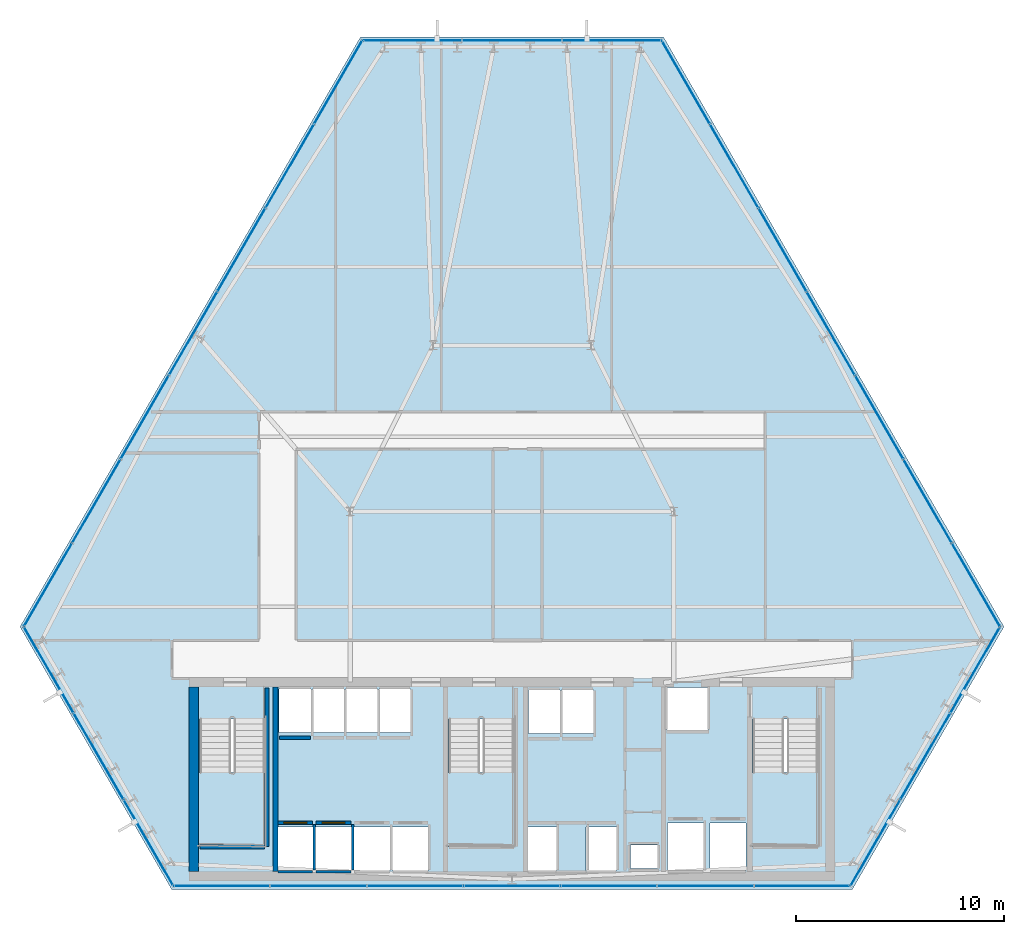
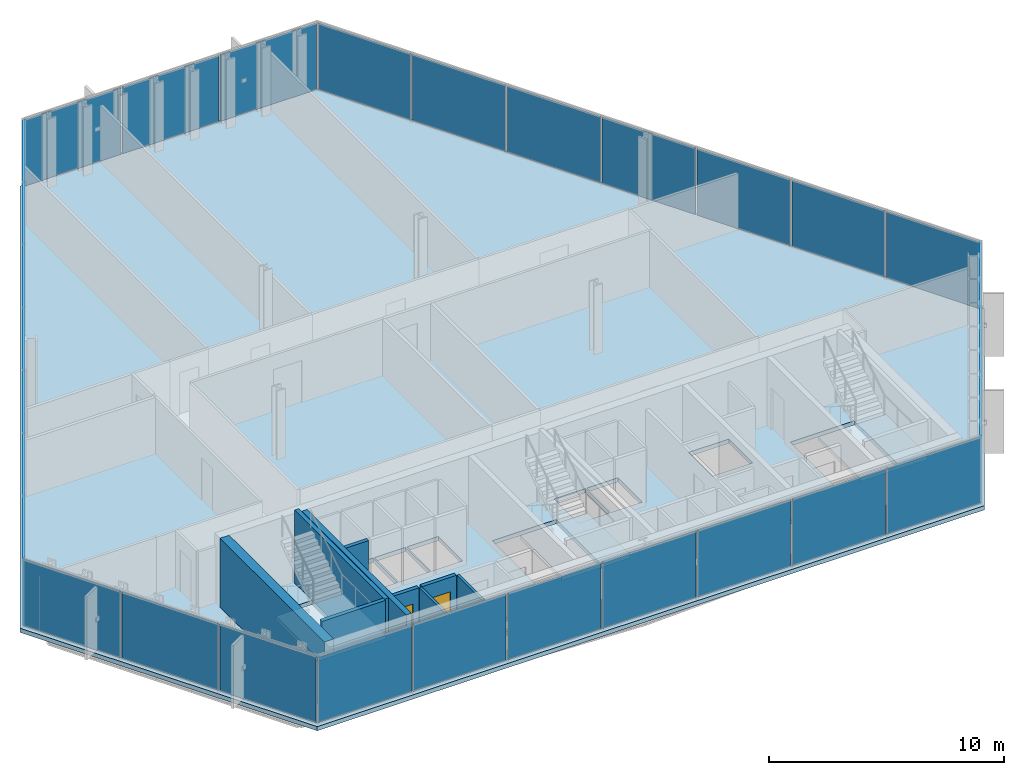
# One storey, part 26 of 33: 30 plates, 11 walls, 4 slabs, 2 doors, 2 openings, 9 elements without a shape of their own.
"""IFC4 building model written with IfcOpenShell, lengths in metres."""

from ifc_helpers import new_model, si_unit, direction, frame, frame_2d, origin, origin_2d, place, context, subcontext, project, spatial, polyline, rectangle, outline, extrude, material, layer, layer_set, type_object, element, fill, aggregate, save


model = new_model("IFC4")

# Units and contexts
model_context = context("Model", 3, precision=1e-05, world=origin(), true_north=direction((0.0, 1.0)))
body_context = subcontext(model_context, "Body", "Model", "MODEL_VIEW")
ifc_project = project(units=[si_unit("LENGTHUNIT", "METRE"), si_unit("AREAUNIT", "SQUARE_METRE"), si_unit("VOLUMEUNIT", "CUBIC_METRE"), si_unit("PLANEANGLEUNIT", "RADIAN"), si_unit("MASSUNIT", "GRAM", prefix="KILO")], contexts=[model_context])

# Site, building, storey
site_placement = place(None, origin())
site = spatial("IfcSite", under=ifc_project, at=site_placement, CompositionType="ELEMENT")
building_placement = place(site_placement, origin())
building = spatial("IfcBuilding", under=site, at=building_placement, Name="Ndaravel Arena Tower", CompositionType="ELEMENT")
storey_placement = place(building_placement, frame((0.0, 0.0, 85.39990234375)))
storey = spatial("IfcBuildingStorey", under=building, at=storey_placement, Name="L19", CompositionType="ELEMENT", Elevation=85.39990234375)

# Curtain wall, plate
ifc_material_1 = material(Name="Aluminium", Category="aluminium")
ifc_layer_1 = layer(ifc_material_1, 0.179931640625)
ifc_layer_set_1 = layer_set([ifc_layer_1], Name="Aluminium")
curtain_wall_type_1 = type_object("IfcCurtainWallType", Name="CW-SYS-01", PredefinedType="NOTDEFINED", material=ifc_layer_set_1)
curtain_wall_1_placement = place(storey_placement, origin())
curtain_wall_1 = element("IfcCurtainWall", 1, at=curtain_wall_1_placement, inside=storey, type_object=curtain_wall_type_1, Name="L19 Faceted Crystal Curtain Wall CW-L19-E02", PredefinedType="NOTDEFINED")
ifc_material_2 = material(Name="Glazing", Category="glass")
ifc_layer_2 = layer(ifc_material_2, 0.035888671875)
ifc_layer_set_2 = layer_set([ifc_layer_2], Name="Glazing")
plate_type_1 = type_object("IfcPlateType", Name="PLT-CW-OPVENT", PredefinedType="CURTAIN_PANEL", material=ifc_layer_set_2)
plate_1_placement = place(storey_placement, frame((61.913818359375, 11.404052734375, 0.06005859375), z_axis=(0.0, 0.0, 1.0), x_axis=(0.5, 0.866025403784, 0.0)))
plate_1 = element("IfcPlate", 2, at=plate_1_placement, type_object=plate_type_1, Name="CW-L19-E02 Operable Vent Sash Panel 02", PredefinedType="CURTAIN_PANEL", context=body_context, shape_type="SweptSolid", body=[
    extrude(rectangle(XDim=4.7265625, YDim=0.035888671875, at=origin_2d()), origin(), (0.0, 0.0, 1.0), 3.4599609375),
])

curtain_wall_2_placement = place(storey_placement, origin())
curtain_wall_2 = element("IfcCurtainWall", 3, at=curtain_wall_2_placement, inside=storey, type_object=curtain_wall_type_1, Name="L19 Faceted Crystal Curtain Wall CW-L19-E04", PredefinedType="NOTDEFINED")
plate_2_placement = place(storey_placement, frame((42.0, 45.89599609375, 0.06005859375), z_axis=(0.0, 0.0, 1.0), x_axis=(-1.0, 0.0, 0.0)))
plate_2 = element("IfcPlate", 4, at=plate_2_placement, type_object=plate_type_1, Name="CW-L19-E04 Operable Vent Sash Panel 02", PredefinedType="CURTAIN_PANEL", context=body_context, shape_type="SweptSolid", body=[
    extrude(rectangle(XDim=4.7265625, YDim=0.035888671875, at=origin_2d()), origin(), (0.0, 0.0, 1.0), 3.4599609375),
])

ifc_material_3 = material(Name="Aluminium", Category="aluminium")
ifc_layer_3 = layer(ifc_material_3, 0.179931640625)
ifc_layer_set_3 = layer_set([ifc_layer_3], Name="Aluminium")
curtain_wall_type_2 = type_object("IfcCurtainWallType", Name="CW-SYS-02", PredefinedType="NOTDEFINED", material=ifc_layer_set_3)
curtain_wall_3_placement = place(storey_placement, origin())
curtain_wall_3 = element("IfcCurtainWall", 5, at=curtain_wall_3_placement, inside=storey, type_object=curtain_wall_type_2, Name="L19 Faceted Crystal Curtain Wall CW-L19-E06", PredefinedType="NOTDEFINED")
plate_3_placement = place(storey_placement, frame((22.086181640625, 11.40380859375, 0.06005859375), z_axis=(0.0, 0.0, 1.0), x_axis=(0.5, -0.866025403784, 0.0)))
plate_3 = element("IfcPlate", 6, at=plate_3_placement, type_object=plate_type_1, Name="CW-L19-E06 Operable Vent Sash Panel 02", PredefinedType="CURTAIN_PANEL", context=body_context, shape_type="SweptSolid", body=[
    extrude(rectangle(XDim=4.7265625, YDim=0.035888671875, at=origin_2d()), origin(), (0.0, 0.0, 1.0), 3.4599609375),
])

# Plate
ifc_material_4 = material(Name="Glazing", Category="glass")
ifc_layer_4 = layer(ifc_material_4, 0.031982421875)
ifc_layer_set_4 = layer_set([ifc_layer_4], Name="Glazing")
plate_type_2 = type_object("IfcPlateType", Name="PLT-GLZ-FRIT35", PredefinedType="CURTAIN_PANEL", material=ifc_layer_set_4)
plate_4_placement = place(storey_placement, frame((59.510498046875, 7.2412109375, 0.06005859375), z_axis=(0.0, 0.0, 1.0), x_axis=(0.5, 0.866025403784, 0.0)))
plate_4 = element("IfcPlate", 7, at=plate_4_placement, type_object=plate_type_2, Name="CW-L19-E02 Vision Glass Panel 01", PredefinedType="CURTAIN_PANEL", context=body_context, shape_type="SweptSolid", body=[
    extrude(rectangle(XDim=4.7265625, YDim=0.035888671875, at=origin_2d()), origin(), (0.0, 0.0, 1.0), 3.4599609375),
])

plate_5_placement = place(storey_placement, frame((64.317138671875, 15.566650390625, 0.06005859375), z_axis=(0.0, 0.0, 1.0), x_axis=(0.5, 0.866025403784, 0.0)))
plate_5 = element("IfcPlate", 8, at=plate_5_placement, type_object=plate_type_2, Name="CW-L19-E02 Vision Glass Panel 03", PredefinedType="CURTAIN_PANEL", context=body_context, shape_type="SweptSolid", body=[
    extrude(rectangle(XDim=4.7265625, YDim=0.035888671875, at=origin_2d()), origin(), (0.0, 0.0, 1.0), 3.4599609375),
])

aggregate(curtain_wall_1, [plate_4, plate_1, plate_5])

plate_6_placement = place(storey_placement, frame((46.806640625, 45.89599609375, 0.06005859375), z_axis=(0.0, 0.0, 1.0), x_axis=(-1.0, 0.0, 0.0)))
plate_6 = element("IfcPlate", 9, at=plate_6_placement, type_object=plate_type_2, Name="CW-L19-E04 Vision Glass Panel 01", PredefinedType="CURTAIN_PANEL", context=body_context, shape_type="SweptSolid", body=[
    extrude(rectangle(XDim=4.7265625, YDim=0.035888671875, at=origin_2d()), origin(), (0.0, 0.0, 1.0), 3.4599609375),
])

plate_7_placement = place(storey_placement, frame((37.193359375, 45.89599609375, 0.06005859375), z_axis=(0.0, 0.0, 1.0), x_axis=(-1.0, 0.0, 0.0)))
plate_7 = element("IfcPlate", 10, at=plate_7_placement, type_object=plate_type_2, Name="CW-L19-E04 Vision Glass Panel 03", PredefinedType="CURTAIN_PANEL", context=body_context, shape_type="SweptSolid", body=[
    extrude(rectangle(XDim=4.7265625, YDim=0.035888671875, at=origin_2d()), origin(), (0.0, 0.0, 1.0), 3.4599609375),
])

aggregate(curtain_wall_2, [plate_6, plate_2, plate_7])

ifc_material_5 = material(Name="Glazing", Category="glass")
ifc_layer_5 = layer(ifc_material_5, 0.035888671875)
ifc_layer_set_5 = layer_set([ifc_layer_5], Name="Glazing")
plate_type_3 = type_object("IfcPlateType", Name="PLT-GLZ-FRIT55", PredefinedType="CURTAIN_PANEL", material=ifc_layer_set_5)
plate_8_placement = place(storey_placement, frame((19.682861328125, 15.566650390625, 0.06005859375), z_axis=(0.0, 0.0, 1.0), x_axis=(0.5, -0.866025403784, 0.0)))
plate_8 = element("IfcPlate", 11, at=plate_8_placement, type_object=plate_type_3, Name="CW-L19-E06 Vision Glass Panel 01", PredefinedType="CURTAIN_PANEL", context=body_context, shape_type="SweptSolid", body=[
    extrude(rectangle(XDim=4.7265625, YDim=0.035888671875, at=origin_2d()), origin(), (0.0, 0.0, 1.0), 3.4599609375),
])

plate_9_placement = place(storey_placement, frame((24.489501953125, 7.2412109375, 0.06005859375), z_axis=(0.0, 0.0, 1.0), x_axis=(0.5, -0.866025403784, 0.0)))
plate_9 = element("IfcPlate", 12, at=plate_9_placement, type_object=plate_type_3, Name="CW-L19-E06 Vision Glass Panel 03", PredefinedType="CURTAIN_PANEL", context=body_context, shape_type="SweptSolid", body=[
    extrude(rectangle(XDim=4.7265625, YDim=0.035888671875, at=origin_2d()), origin(), (0.0, 0.0, 1.0), 3.4599609375),
])

aggregate(curtain_wall_3, [plate_8, plate_3, plate_9])

# Curtain wall, plates
ifc_material_6 = material(Name="Aluminium", Category="aluminium")
ifc_layer_6 = layer(ifc_material_6, 0.179931640625)
ifc_layer_set_6 = layer_set([ifc_layer_6], Name="Aluminium")
curtain_wall_type_3 = type_object("IfcCurtainWallType", Name="CW-SYS-03", PredefinedType="NOTDEFINED", material=ifc_layer_set_6)
curtain_wall_4_placement = place(storey_placement, origin())
curtain_wall_4 = element("IfcCurtainWall", 13, at=curtain_wall_4_placement, inside=storey, type_object=curtain_wall_type_3, Name="L19 Faceted Crystal Curtain Wall CW-L19-E01", PredefinedType="NOTDEFINED")
ifc_material_7 = material(Name="Glazing", Category="glass")
ifc_layer_7 = layer(ifc_material_7, 0.0400390625)
ifc_layer_set_7 = layer_set([ifc_layer_7], Name="Glazing")
plate_type_4 = type_object("IfcPlateType", Name="PLT-GLZ-LOWIRON", PredefinedType="CURTAIN_PANEL", material=ifc_layer_set_7)
plate_10_placement = place(storey_placement, frame((28.02099609375, 5.159912109375, 0.06005859375), z_axis=(0.0, 0.0, 1.0), x_axis=(1.0, 0.0, 0.0)))
plate_10 = element("IfcPlate", 14, at=plate_10_placement, type_object=plate_type_4, Name="CW-L19-E01 Vision Glass Panel 01", PredefinedType="CURTAIN_PANEL", context=body_context, shape_type="SweptSolid", body=[
    extrude(rectangle(XDim=4.57958984375, YDim=0.035888671875, at=origin_2d()), origin(), (0.0, 0.0, 1.0), 3.4599609375),
])
plate_11_placement = place(storey_placement, frame((32.6806640625, 5.159912109375, 0.06005859375), z_axis=(0.0, 0.0, 1.0), x_axis=(1.0, 0.0, 0.0)))
plate_11 = element("IfcPlate", 15, at=plate_11_placement, type_object=plate_type_4, Name="CW-L19-E01 Vision Glass Panel 02", PredefinedType="CURTAIN_PANEL", context=body_context, shape_type="SweptSolid", body=[
    extrude(rectangle(XDim=4.57958984375, YDim=0.035888671875, at=origin_2d()), origin(), (0.0, 0.0, 1.0), 3.4599609375),
])
plate_12_placement = place(storey_placement, frame((37.34033203125, 5.159912109375, 0.06005859375), z_axis=(0.0, 0.0, 1.0), x_axis=(1.0, 0.0, 0.0)))
plate_12 = element("IfcPlate", 16, at=plate_12_placement, type_object=plate_type_4, Name="CW-L19-E01 Vision Glass Panel 03", PredefinedType="CURTAIN_PANEL", context=body_context, shape_type="SweptSolid", body=[
    extrude(rectangle(XDim=4.57958984375, YDim=0.035888671875, at=origin_2d()), origin(), (0.0, 0.0, 1.0), 3.4599609375),
])
plate_13_placement = place(storey_placement, frame((42.0, 5.159912109375, 0.06005859375), z_axis=(0.0, 0.0, 1.0), x_axis=(1.0, 0.0, 0.0)))
plate_13 = element("IfcPlate", 17, at=plate_13_placement, type_object=plate_type_4, Name="CW-L19-E01 Vision Glass Panel 04", PredefinedType="CURTAIN_PANEL", context=body_context, shape_type="SweptSolid", body=[
    extrude(rectangle(XDim=4.57958984375, YDim=0.035888671875, at=origin_2d()), origin(), (0.0, 0.0, 1.0), 3.4599609375),
])
plate_14_placement = place(storey_placement, frame((46.65966796875, 5.159912109375, 0.06005859375), z_axis=(0.0, 0.0, 1.0), x_axis=(1.0, 0.0, 0.0)))
plate_14 = element("IfcPlate", 18, at=plate_14_placement, type_object=plate_type_4, Name="CW-L19-E01 Vision Glass Panel 05", PredefinedType="CURTAIN_PANEL", context=body_context, shape_type="SweptSolid", body=[
    extrude(rectangle(XDim=4.57958984375, YDim=0.035888671875, at=origin_2d()), origin(), (0.0, 0.0, 1.0), 3.4599609375),
])
plate_15_placement = place(storey_placement, frame((51.3193359375, 5.159912109375, 0.06005859375), z_axis=(0.0, 0.0, 1.0), x_axis=(1.0, 0.0, 0.0)))
plate_15 = element("IfcPlate", 19, at=plate_15_placement, type_object=plate_type_4, Name="CW-L19-E01 Vision Glass Panel 06", PredefinedType="CURTAIN_PANEL", context=body_context, shape_type="SweptSolid", body=[
    extrude(rectangle(XDim=4.57958984375, YDim=0.035888671875, at=origin_2d()), origin(), (0.0, 0.0, 1.0), 3.4599609375),
])
plate_16_placement = place(storey_placement, frame((55.97900390625, 5.159912109375, 0.06005859375), z_axis=(0.0, 0.0, 1.0), x_axis=(1.0, 0.0, 0.0)))
plate_16 = element("IfcPlate", 20, at=plate_16_placement, type_object=plate_type_4, Name="CW-L19-E01 Vision Glass Panel 07", PredefinedType="CURTAIN_PANEL", context=body_context, shape_type="SweptSolid", body=[
    extrude(rectangle(XDim=4.57958984375, YDim=0.035888671875, at=origin_2d()), origin(), (0.0, 0.0, 1.0), 3.4599609375),
])
aggregate(curtain_wall_4, [plate_10, plate_11, plate_12, plate_13, plate_14, plate_15, plate_16])

curtain_wall_5_placement = place(storey_placement, origin())
curtain_wall_5 = element("IfcCurtainWall", 21, at=curtain_wall_5_placement, inside=storey, type_object=curtain_wall_type_3, Name="L19 Faceted Crystal Curtain Wall CW-L19-E03", PredefinedType="NOTDEFINED")
plate_17_placement = place(storey_placement, frame((64.35400390625, 19.66552734375, 0.06005859375), z_axis=(0.0, 0.0, 1.0), x_axis=(-0.5, 0.866025403784, 0.0)))
plate_17 = element("IfcPlate", 22, at=plate_17_placement, type_object=plate_type_4, Name="CW-L19-E03 Vision Glass Panel 01", PredefinedType="CURTAIN_PANEL", context=body_context, shape_type="SweptSolid", body=[
    extrude(rectangle(XDim=4.57958984375, YDim=0.035888671875, at=origin_2d()), origin(), (0.0, 0.0, 1.0), 3.4599609375),
])
plate_18_placement = place(storey_placement, frame((62.02392578125, 23.700927734375, 0.06005859375), z_axis=(0.0, 0.0, 1.0), x_axis=(-0.5, 0.866025403784, 0.0)))
plate_18 = element("IfcPlate", 23, at=plate_18_placement, type_object=plate_type_4, Name="CW-L19-E03 Vision Glass Panel 02", PredefinedType="CURTAIN_PANEL", context=body_context, shape_type="SweptSolid", body=[
    extrude(rectangle(XDim=4.57958984375, YDim=0.035888671875, at=origin_2d()), origin(), (0.0, 0.0, 1.0), 3.4599609375),
])
plate_19_placement = place(storey_placement, frame((59.694091796875, 27.736572265625, 0.06005859375), z_axis=(0.0, 0.0, 1.0), x_axis=(-0.5, 0.866025403784, 0.0)))
plate_19 = element("IfcPlate", 24, at=plate_19_placement, type_object=plate_type_4, Name="CW-L19-E03 Vision Glass Panel 03", PredefinedType="CURTAIN_PANEL", context=body_context, shape_type="SweptSolid", body=[
    extrude(rectangle(XDim=4.57958984375, YDim=0.035888671875, at=origin_2d()), origin(), (0.0, 0.0, 1.0), 3.4599609375),
])
plate_20_placement = place(storey_placement, frame((57.364501953125, 31.77197265625, 0.06005859375), z_axis=(0.0, 0.0, 1.0), x_axis=(-0.5, 0.866025403784, 0.0)))
plate_20 = element("IfcPlate", 25, at=plate_20_placement, type_object=plate_type_4, Name="CW-L19-E03 Vision Glass Panel 04", PredefinedType="CURTAIN_PANEL", context=body_context, shape_type="SweptSolid", body=[
    extrude(rectangle(XDim=4.57958984375, YDim=0.035888671875, at=origin_2d()), origin(), (0.0, 0.0, 1.0), 3.4599609375),
])
plate_21_placement = place(storey_placement, frame((55.034423828125, 35.807373046875, 0.06005859375), z_axis=(0.0, 0.0, 1.0), x_axis=(-0.5, 0.866025403784, 0.0)))
plate_21 = element("IfcPlate", 26, at=plate_21_placement, type_object=plate_type_4, Name="CW-L19-E03 Vision Glass Panel 05", PredefinedType="CURTAIN_PANEL", context=body_context, shape_type="SweptSolid", body=[
    extrude(rectangle(XDim=4.57958984375, YDim=0.035888671875, at=origin_2d()), origin(), (0.0, 0.0, 1.0), 3.4599609375),
])
plate_22_placement = place(storey_placement, frame((52.70458984375, 39.8427734375, 0.06005859375), z_axis=(0.0, 0.0, 1.0), x_axis=(-0.5, 0.866025403784, 0.0)))
plate_22 = element("IfcPlate", 27, at=plate_22_placement, type_object=plate_type_4, Name="CW-L19-E03 Vision Glass Panel 06", PredefinedType="CURTAIN_PANEL", context=body_context, shape_type="SweptSolid", body=[
    extrude(rectangle(XDim=4.57958984375, YDim=0.035888671875, at=origin_2d()), origin(), (0.0, 0.0, 1.0), 3.4599609375),
])
plate_23_placement = place(storey_placement, frame((50.374755859375, 43.878173828125, 0.06005859375), z_axis=(0.0, 0.0, 1.0), x_axis=(-0.5, 0.866025403784, 0.0)))
plate_23 = element("IfcPlate", 28, at=plate_23_placement, type_object=plate_type_4, Name="CW-L19-E03 Vision Glass Panel 07", PredefinedType="CURTAIN_PANEL", context=body_context, shape_type="SweptSolid", body=[
    extrude(rectangle(XDim=4.57958984375, YDim=0.035888671875, at=origin_2d()), origin(), (0.0, 0.0, 1.0), 3.4599609375),
])
aggregate(curtain_wall_5, [plate_17, plate_18, plate_19, plate_20, plate_21, plate_22, plate_23])

curtain_wall_6_placement = place(storey_placement, origin())
curtain_wall_6 = element("IfcCurtainWall", 29, at=curtain_wall_6_placement, inside=storey, type_object=curtain_wall_type_3, Name="L19 Faceted Crystal Curtain Wall CW-L19-E05", PredefinedType="NOTDEFINED")
plate_24_placement = place(storey_placement, frame((33.625244140625, 43.878173828125, 0.06005859375), z_axis=(0.0, 0.0, 1.0), x_axis=(-0.5, -0.866025403784, 0.0)))
plate_24 = element("IfcPlate", 30, at=plate_24_placement, type_object=plate_type_4, Name="CW-L19-E05 Vision Glass Panel 01", PredefinedType="CURTAIN_PANEL", context=body_context, shape_type="SweptSolid", body=[
    extrude(rectangle(XDim=4.57958984375, YDim=0.035888671875, at=origin_2d()), origin(), (0.0, 0.0, 1.0), 3.4599609375),
])
plate_25_placement = place(storey_placement, frame((31.29541015625, 39.8427734375, 0.06005859375), z_axis=(0.0, 0.0, 1.0), x_axis=(-0.5, -0.866025403784, 0.0)))
plate_25 = element("IfcPlate", 31, at=plate_25_placement, type_object=plate_type_4, Name="CW-L19-E05 Vision Glass Panel 02", PredefinedType="CURTAIN_PANEL", context=body_context, shape_type="SweptSolid", body=[
    extrude(rectangle(XDim=4.57958984375, YDim=0.035888671875, at=origin_2d()), origin(), (0.0, 0.0, 1.0), 3.4599609375),
])
plate_26_placement = place(storey_placement, frame((28.965576171875, 35.807373046875, 0.06005859375), z_axis=(0.0, 0.0, 1.0), x_axis=(-0.5, -0.866025403784, 0.0)))
plate_26 = element("IfcPlate", 32, at=plate_26_placement, type_object=plate_type_4, Name="CW-L19-E05 Vision Glass Panel 03", PredefinedType="CURTAIN_PANEL", context=body_context, shape_type="SweptSolid", body=[
    extrude(rectangle(XDim=4.57958984375, YDim=0.035888671875, at=origin_2d()), origin(), (0.0, 0.0, 1.0), 3.4599609375),
])
plate_27_placement = place(storey_placement, frame((26.6357421875, 31.77197265625, 0.06005859375), z_axis=(0.0, 0.0, 1.0), x_axis=(-0.5, -0.866025403784, 0.0)))
plate_27 = element("IfcPlate", 33, at=plate_27_placement, type_object=plate_type_4, Name="CW-L19-E05 Vision Glass Panel 04", PredefinedType="CURTAIN_PANEL", context=body_context, shape_type="SweptSolid", body=[
    extrude(rectangle(XDim=4.57958984375, YDim=0.035888671875, at=origin_2d()), origin(), (0.0, 0.0, 1.0), 3.4599609375),
])
plate_28_placement = place(storey_placement, frame((24.305908203125, 27.736572265625, 0.06005859375), z_axis=(0.0, 0.0, 1.0), x_axis=(-0.5, -0.866025403784, 0.0)))
plate_28 = element("IfcPlate", 34, at=plate_28_placement, type_object=plate_type_4, Name="CW-L19-E05 Vision Glass Panel 05", PredefinedType="CURTAIN_PANEL", context=body_context, shape_type="SweptSolid", body=[
    extrude(rectangle(XDim=4.57958984375, YDim=0.035888671875, at=origin_2d()), origin(), (0.0, 0.0, 1.0), 3.4599609375),
])
plate_29_placement = place(storey_placement, frame((21.97607421875, 23.700927734375, 0.06005859375), z_axis=(0.0, 0.0, 1.0), x_axis=(-0.5, -0.866025403784, 0.0)))
plate_29 = element("IfcPlate", 35, at=plate_29_placement, type_object=plate_type_4, Name="CW-L19-E05 Vision Glass Panel 06", PredefinedType="CURTAIN_PANEL", context=body_context, shape_type="SweptSolid", body=[
    extrude(rectangle(XDim=4.57958984375, YDim=0.035888671875, at=origin_2d()), origin(), (0.0, 0.0, 1.0), 3.4599609375),
])
plate_30_placement = place(storey_placement, frame((19.64599609375, 19.66552734375, 0.06005859375), z_axis=(0.0, 0.0, 1.0), x_axis=(-0.5, -0.866025403784, 0.0)))
plate_30 = element("IfcPlate", 36, at=plate_30_placement, type_object=plate_type_4, Name="CW-L19-E05 Vision Glass Panel 07", PredefinedType="CURTAIN_PANEL", context=body_context, shape_type="SweptSolid", body=[
    extrude(rectangle(XDim=4.57958984375, YDim=0.035888671875, at=origin_2d()), origin(), (0.0, 0.0, 1.0), 3.4599609375),
])
aggregate(curtain_wall_6, [plate_24, plate_25, plate_26, plate_27, plate_28, plate_29, plate_30])

# Stair, slab
ifc_material_8 = material(Name="Concrete C40/50", Category="concrete")
stair_type = type_object("IfcStairType", Name="STAIR-CORE-HT", PredefinedType="HALF_TURN_STAIR", material=ifc_material_8)
stair_1_placement = place(storey_placement, origin())
stair_1 = element("IfcStair", 37, at=stair_1_placement, inside=storey, type_object=stair_type, Name="L19 ST-1", PredefinedType="HALF_TURN_STAIR")
ifc_material_9 = material(Name="Concrete C40/50", Category="concrete")
ifc_layer_8 = layer(ifc_material_9, 0.199951171875)
ifc_layer_set_8 = layer_set([ifc_layer_8], Name="Concrete C40/50")
slab_type_1 = type_object("IfcSlabType", Name="SLAB-STAIR-LANDING", PredefinedType="LANDING", material=ifc_layer_set_8)
slab_1_placement = place(storey_placement, frame((0.0, 0.0, 1.7001953125)))
slab_1 = element("IfcSlab", 38, at=slab_1_placement, type_object=slab_type_1, Name="ST-1 landing 1", PredefinedType="LANDING", context=body_context, shape_type="SweptSolid", body=[
    extrude(outline(polyline([(26.81005859375, 10.6298828125), (26.81005859375, 7.070068359375), (30.169921875, 7.070068359375), (30.169921875, 10.6298828125), (26.81005859375, 10.6298828125)])), origin(), (0.0, 0.0, 1.0), 0.199951171875),
])
aggregate(stair_1, [slab_1])

stair_2_placement = place(storey_placement, origin())
stair_2 = element("IfcStair", 39, at=stair_2_placement, inside=storey, type_object=stair_type, Name="L19 ST-2", PredefinedType="HALF_TURN_STAIR")
slab_2_placement = place(storey_placement, frame((0.0, 0.0, 1.7001953125)))
slab_2 = element("IfcSlab", 40, at=slab_2_placement, type_object=slab_type_1, Name="ST-2 landing 1", PredefinedType="LANDING", context=body_context, shape_type="SweptSolid", body=[
    extrude(outline(polyline([(38.81005859375, 10.6298828125), (38.81005859375, 7.070068359375), (42.169921875, 7.070068359375), (42.169921875, 10.6298828125), (38.81005859375, 10.6298828125)])), origin(), (0.0, 0.0, 1.0), 0.199951171875),
])
aggregate(stair_2, [slab_2])

stair_3_placement = place(storey_placement, origin())
stair_3 = element("IfcStair", 41, at=stair_3_placement, inside=storey, type_object=stair_type, Name="L19 ST-3", PredefinedType="HALF_TURN_STAIR")
slab_3_placement = place(storey_placement, frame((0.0, 0.0, 1.7001953125)))
slab_3 = element("IfcSlab", 42, at=slab_3_placement, type_object=slab_type_1, Name="ST-3 landing 1", PredefinedType="LANDING", context=body_context, shape_type="SweptSolid", body=[
    extrude(outline(polyline([(53.4599609375, 10.6298828125), (53.4599609375, 7.070068359375), (56.820068359375, 7.070068359375), (56.820068359375, 10.6298828125), (53.4599609375, 10.6298828125)])), origin(), (0.0, 0.0, 1.0), 0.199951171875),
])
aggregate(stair_3, [slab_3])

# Slab
ifc_material_10 = material(Name="Concrete C40/50", Category="concrete")
ifc_layer_9 = layer(ifc_material_10, 0.219970703125)
ifc_layer_set_9 = layer_set([ifc_layer_9], Name="Concrete C40/50")
slab_type_2 = type_object("IfcSlabType", Name="SLAB-TWR-220", PredefinedType="FLOOR", material=ifc_layer_set_9)
slab_4_placement = place(storey_placement, frame((0.0, 0.0, -0.219970703125)))
element("IfcSlab", 43, at=slab_4_placement, inside=storey, type_object=slab_type_2, Name="L19 Structural Floor Slab", PredefinedType="FLOOR", context=body_context, shape_type="SweptSolid", body=[
    extrude(outline(polyline([(18.29638671875, 17.64794921875), (25.5986328125, 5.0), (58.4013671875, 5.0), (65.70361328125, 17.64794921875), (49.30224609375, 46.055908203125), (34.69775390625, 46.055908203125), (18.29638671875, 17.64794921875)]), holes=[polyline([(26.949951171875, 13.215087890625), (26.949951171875, 7.14990234375), (30.090087890625, 7.14990234375), (30.090087890625, 13.215087890625), (26.949951171875, 13.215087890625)]), polyline([(38.949951171875, 13.215087890625), (38.949951171875, 7.14990234375), (42.090087890625, 7.14990234375), (42.090087890625, 13.215087890625), (38.949951171875, 13.215087890625)]), polyline([(53.60009765625, 13.215087890625), (53.60009765625, 7.14990234375), (56.739990234375, 7.14990234375), (56.739990234375, 13.215087890625), (53.60009765625, 13.215087890625)]), polyline([(30.68505859375, 5.909912109375), (32.4150390625, 5.909912109375), (32.4150390625, 7.989990234375), (30.68505859375, 7.989990234375), (30.68505859375, 5.909912109375)]), polyline([(32.534912109375, 5.909912109375), (34.264892578125, 5.909912109375), (34.264892578125, 7.989990234375), (32.534912109375, 7.989990234375), (32.534912109375, 5.909912109375)]), polyline([(34.385009765625, 5.909912109375), (36.114990234375, 5.909912109375), (36.114990234375, 7.989990234375), (34.385009765625, 7.989990234375), (34.385009765625, 5.909912109375)]), polyline([(36.235107421875, 5.909912109375), (37.965087890625, 5.909912109375), (37.965087890625, 7.989990234375), (36.235107421875, 7.989990234375), (36.235107421875, 5.909912109375)]), polyline([(30.784912109375, 12.56005859375), (32.31494140625, 12.56005859375), (32.31494140625, 14.639892578125), (30.784912109375, 14.639892578125), (30.784912109375, 12.56005859375)]), polyline([(32.385009765625, 12.56005859375), (33.9150390625, 12.56005859375), (33.9150390625, 14.639892578125), (32.385009765625, 14.639892578125), (32.385009765625, 12.56005859375)]), polyline([(33.985107421875, 12.56005859375), (35.514892578125, 12.56005859375), (35.514892578125, 14.639892578125), (33.985107421875, 14.639892578125), (33.985107421875, 12.56005859375)]), polyline([(35.5849609375, 12.56005859375), (37.114990234375, 12.56005859375), (37.114990234375, 14.639892578125), (35.5849609375, 14.639892578125), (35.5849609375, 12.56005859375)]), polyline([(42.659912109375, 5.909912109375), (44.139892578125, 5.909912109375), (44.139892578125, 7.989990234375), (42.659912109375, 7.989990234375), (42.659912109375, 5.909912109375)]), polyline([(45.56005859375, 5.909912109375), (47.0400390625, 5.909912109375), (47.0400390625, 7.989990234375), (45.56005859375, 7.989990234375), (45.56005859375, 5.909912109375)]), polyline([(42.784912109375, 12.510009765625), (44.31494140625, 12.510009765625), (44.31494140625, 14.590087890625), (42.784912109375, 14.590087890625), (42.784912109375, 12.510009765625)]), polyline([(44.385009765625, 12.510009765625), (45.9150390625, 12.510009765625), (45.9150390625, 14.590087890625), (44.385009765625, 14.590087890625), (44.385009765625, 12.510009765625)]), polyline([(49.485107421875, 5.909912109375), (51.215087890625, 5.909912109375), (51.215087890625, 8.18994140625), (49.485107421875, 8.18994140625), (49.485107421875, 5.909912109375)]), polyline([(51.534912109375, 5.909912109375), (53.264892578125, 5.909912109375), (53.264892578125, 8.18994140625), (51.534912109375, 8.18994140625), (51.534912109375, 5.909912109375)]), polyline([(49.4599609375, 12.68505859375), (51.43994140625, 12.68505859375), (51.43994140625, 14.715087890625), (49.4599609375, 14.715087890625), (49.4599609375, 12.68505859375)]), polyline([(47.699951171875, 6.0), (49.0, 6.0), (49.0, 7.139892578125), (47.699951171875, 7.139892578125), (47.699951171875, 6.0)])]), origin(), (0.0, 0.0, 1.0), 0.219970703125),
])

# Walls
ifc_material_11 = material(Name="Concrete C60/75", Category="concrete")
ifc_layer_10 = layer(ifc_material_11, 0.25)
ifc_layer_set_10 = layer_set([ifc_layer_10], Name="Concrete C60/75")
wall_type_1 = type_object("IfcWallType", Name="WALL-CORE-250", PredefinedType="SOLIDWALL", material=ifc_layer_set_10)
wall_1_placement = place(storey_placement, frame((30.60009765625, 5.85009765625, 0.0), z_axis=(0.0, 0.0, 1.0), x_axis=(0.0, 1.0, 0.0)))
element("IfcWall", 44, at=wall_1_placement, inside=storey, type_object=wall_type_1, Name="L19 Core Web Shear Wall 1", PredefinedType="SOLIDWALL", context=body_context, shape_type="SweptSolid", body=[
    extrude(rectangle(XDim=8.89990234375, YDim=0.25, at=frame_2d((4.449951171875, 0.0))), origin(), (0.0, 0.0, 1.0), 3.580078125),
])
ifc_material_12 = material(Name="Concrete C60/75", Category="concrete")
ifc_layer_11 = layer(ifc_material_12, 0.449951171875)
ifc_layer_set_11 = layer_set([ifc_layer_11], Name="Concrete C60/75")
wall_type_2 = type_object("IfcWallType", Name="WALL-CORE-450", PredefinedType="SOLIDWALL", material=ifc_layer_set_11)
wall_2_placement = place(storey_placement, frame((26.675048828125, 5.85009765625, 0.0), z_axis=(0.0, 0.0, 1.0), x_axis=(0.0, 1.0, 0.0)))
element("IfcWall", 45, at=wall_2_placement, inside=storey, type_object=wall_type_2, Name="L19 Core West Shear Wall", PredefinedType="SOLIDWALL", context=body_context, shape_type="SweptSolid", body=[
    extrude(rectangle(XDim=8.89990234375, YDim=0.449951171875, at=frame_2d((4.449951171875, 0.0))), origin(), (0.0, 0.0, 1.0), 3.580078125),
])
ifc_material_13 = material(Name="Concrete C40/50", Category="concrete")
ifc_layer_12 = layer(ifc_material_13, 0.1201171875)
ifc_layer_set_12 = layer_set([ifc_layer_12], Name="Concrete C40/50")
wall_type_3 = type_object("IfcWallType", Name="WALL-SHAFT-120", PredefinedType="SOLIDWALL", material=ifc_layer_set_12)
wall_3_placement = place(storey_placement, frame((30.72998046875, 5.840087890625, 0.0), z_axis=(0.0, 0.0, 1.0), x_axis=(1.0, 0.0, 0.0)))
element("IfcWall", 46, at=wall_3_placement, inside=storey, type_object=wall_type_3, Name="L19 PL-L1 Shaft Rear Wall", PredefinedType="SOLIDWALL", context=body_context, shape_type="SweptSolid", body=[
    extrude(rectangle(XDim=1.6650390625, YDim=0.1201171875, at=frame_2d((0.83251953125, 0.0))), origin(), (0.0, 0.0, 1.0), 2.9501953125),
])
wall_4_placement = place(storey_placement, frame((32.47509765625, 5.929931640625, 0.0), z_axis=(0.0, 0.0, 1.0), x_axis=(0.0, 1.0, 0.0)))
element("IfcWall", 47, at=wall_4_placement, inside=storey, type_object=wall_type_3, Name="L19 PL-L1 Shaft Side R Wall", PredefinedType="SOLIDWALL", context=body_context, shape_type="SweptSolid", body=[
    extrude(rectangle(XDim=2.18017578125, YDim=0.1201171875, at=frame_2d((1.090087890625, 0.0))), origin(), (0.0, 0.0, 1.0), 2.9501953125),
])
wall_5_placement = place(storey_placement, frame((32.554931640625, 5.840087890625, 0.0), z_axis=(0.0, 0.0, 1.0), x_axis=(1.0, 0.0, 0.0)))
element("IfcWall", 48, at=wall_5_placement, inside=storey, type_object=wall_type_3, Name="L19 PL-L2 Shaft Rear Wall", PredefinedType="SOLIDWALL", context=body_context, shape_type="SweptSolid", body=[
    extrude(rectangle(XDim=1.690185546875, YDim=0.1201171875, at=frame_2d((0.84521484375, 0.0))), origin(), (0.0, 0.0, 1.0), 2.9501953125),
])
wall_6_placement = place(storey_placement, frame((34.324951171875, 5.929931640625, 0.0), z_axis=(0.0, 0.0, 1.0), x_axis=(0.0, 1.0, 0.0)))
element("IfcWall", 49, at=wall_6_placement, inside=storey, type_object=wall_type_3, Name="L19 PL-L2 Shaft Side R Wall", PredefinedType="SOLIDWALL", context=body_context, shape_type="SweptSolid", body=[
    extrude(rectangle(XDim=2.18017578125, YDim=0.1201171875, at=frame_2d((1.090087890625, 0.0))), origin(), (0.0, 0.0, 1.0), 2.9501953125),
])
ifc_material_14 = material(Name="Concrete C40/50", Category="concrete")
ifc_layer_13 = layer(ifc_material_14, 0.199951171875)
ifc_layer_set_13 = layer_set([ifc_layer_13], Name="Concrete C40/50")
wall_type_4 = type_object("IfcWallType", Name="WALL-SHAFT-200", PredefinedType="SOLIDWALL", material=ifc_layer_set_13)
wall_7_placement = place(storey_placement, frame((30.18994140625, 14.699951171875, 0.0), z_axis=(0.0, 0.0, 1.0), x_axis=(0.0, -1.0, 0.0)))
element("IfcWall", 50, at=wall_7_placement, inside=storey, type_object=wall_type_4, Name="L19 ST-1 Structural Shaft Wall Right", PredefinedType="SOLIDWALL", context=body_context, shape_type="SweptSolid", body=[
    extrude(rectangle(XDim=7.64990234375, YDim=0.199951171875, at=frame_2d((3.824951171875, 0.0))), origin(), (0.0, 0.0, 1.0), 3.800048828125),
])
wall_8_placement = place(storey_placement, frame((26.969970703125, 7.050048828125, 0.0), z_axis=(0.0, 0.0, 1.0), x_axis=(1.0, 0.0, 0.0)))
element("IfcWall", 51, at=wall_8_placement, inside=storey, type_object=wall_type_4, Name="L19 ST-1 Structural Shaft Wall Far", PredefinedType="SOLIDWALL", context=body_context, shape_type="SweptSolid", body=[
    extrude(rectangle(XDim=3.114990234375, YDim=0.199951171875, at=frame_2d((1.5576171875, 0.0))), origin(), (0.0, 0.0, 1.0), 3.800048828125),
])

# Wall, opening, door
wall_9_placement = place(storey_placement, frame((30.72998046875, 8.199951171875, 0.0), z_axis=(0.0, 0.0, 1.0), x_axis=(1.0, 0.0, 0.0)))
wall_9 = element("IfcWall", 52, at=wall_9_placement, inside=storey, type_object=wall_type_4, Name="L19 PL-L1 Shaft Landing Wall", PredefinedType="SOLIDWALL", context=body_context, shape_type="SweptSolid", body=[
    extrude(rectangle(XDim=1.6650390625, YDim=0.179931640625, at=frame_2d((0.83251953125, 0.0))), origin(), (0.0, 0.0, 1.0), 2.9501953125),
])
opening_1_placement = place(wall_9_placement, frame((0.282470703125, 0.0, 0.0)))
opening_1 = element("IfcOpeningElement", 53, at=opening_1_placement, cuts=wall_9, Name="Opening LD-01", PredefinedType="OPENING", context=body_context, shape_type="SweptSolid", body=[
    extrude(rectangle(XDim=1.10009765625, YDim=2.199951171875, at=frame_2d((0.550048828125, 1.10009765625))), frame((0.0, 0.08984375, 0.0), z_axis=(0.0, -1.0, 0.0), x_axis=(1.0, 0.0, 0.0)), (0.0, 0.0, 1.0), 0.179931640625),
])
ifc_material_15 = material(Name="Steel S355", Category="steel")
door_type = type_object("IfcDoorType", Name="DT-06-LIFT-1100", OperationType="SLIDING_TO_LEFT", PredefinedType="DOOR", material=ifc_material_15)
door_1_placement = place(opening_1_placement, origin())
door_1 = element("IfcDoor", 54, at=door_1_placement, inside=storey, type_object=door_type, Name="L19 Lift PL-L1 Sliding Landing Door", OperationType="SLIDING_TO_LEFT", OverallHeight=2.199951171875, OverallWidth=1.10009765625, PredefinedType="DOOR", context=body_context, shape_type="SweptSolid", body=[
    extrude(rectangle(XDim=1.10009765625, YDim=2.199951171875, at=frame_2d((0.550048828125, 1.10009765625))), frame((0.0, 0.02490234375, 0.0), z_axis=(0.0, -1.0, 0.0), x_axis=(1.0, 0.0, 0.0)), (0.0, 0.0, 1.0), 0.050048828125),
])
fill(opening_1, door_1)

wall_10_placement = place(storey_placement, frame((32.554931640625, 8.199951171875, 0.0), z_axis=(0.0, 0.0, 1.0), x_axis=(1.0, 0.0, 0.0)))
wall_10 = element("IfcWall", 55, at=wall_10_placement, inside=storey, type_object=wall_type_4, Name="L19 PL-L2 Shaft Landing Wall", PredefinedType="SOLIDWALL", context=body_context, shape_type="SweptSolid", body=[
    extrude(rectangle(XDim=1.690185546875, YDim=0.179931640625, at=frame_2d((0.84521484375, 0.0))), origin(), (0.0, 0.0, 1.0), 2.9501953125),
])
opening_2_placement = place(wall_10_placement, frame((0.294921875, 0.0, 0.0)))
opening_2 = element("IfcOpeningElement", 56, at=opening_2_placement, cuts=wall_10, Name="Opening LD-01", PredefinedType="OPENING", context=body_context, shape_type="SweptSolid", body=[
    extrude(rectangle(XDim=1.10009765625, YDim=2.199951171875, at=frame_2d((0.550048828125, 1.10009765625))), frame((0.0, 0.08984375, 0.0), z_axis=(0.0, -1.0, 0.0), x_axis=(1.0, 0.0, 0.0)), (0.0, 0.0, 1.0), 0.179931640625),
])
door_2_placement = place(opening_2_placement, origin())
door_2 = element("IfcDoor", 57, at=door_2_placement, inside=storey, type_object=door_type, Name="L19 Lift PL-L2 Sliding Landing Door", OperationType="SLIDING_TO_LEFT", OverallHeight=2.199951171875, OverallWidth=1.10009765625, PredefinedType="DOOR", context=body_context, shape_type="SweptSolid", body=[
    extrude(rectangle(XDim=1.10009765625, YDim=2.199951171875, at=frame_2d((0.550048828125, 1.10009765625))), frame((0.0, 0.02490234375, 0.0), z_axis=(0.0, -1.0, 0.0), x_axis=(1.0, 0.0, 0.0)), (0.0, 0.0, 1.0), 0.050048828125),
])
fill(opening_2, door_2)

# Wall
wall_11_placement = place(storey_placement, frame((30.804931640625, 12.300048828125, 0.0), z_axis=(0.0, 0.0, 1.0), x_axis=(1.0, 0.0, 0.0)))
element("IfcWall", 58, at=wall_11_placement, inside=storey, type_object=wall_type_4, Name="L19 PL-M1 Shaft Landing Wall", PredefinedType="SOLIDWALL", context=body_context, shape_type="SweptSolid", body=[
    extrude(rectangle(XDim=1.489990234375, YDim=0.179931640625, at=frame_2d((0.7451171875, 0.0))), origin(), (0.0, 0.0, 1.0), 2.9501953125),
])

save(model, "model.ifc")
